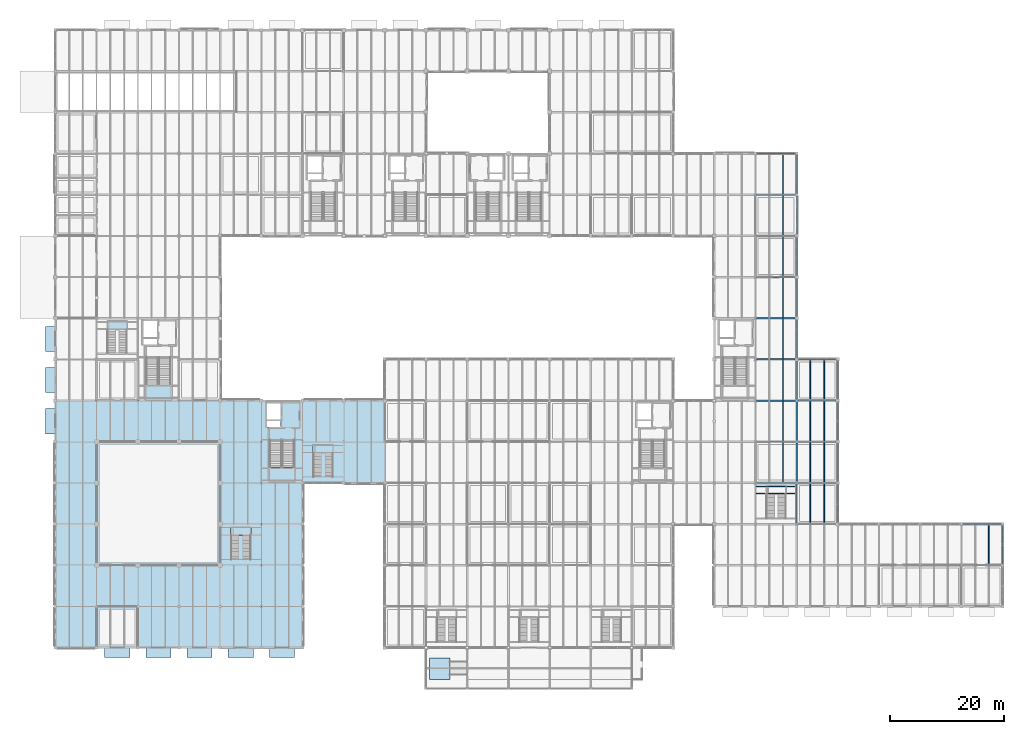
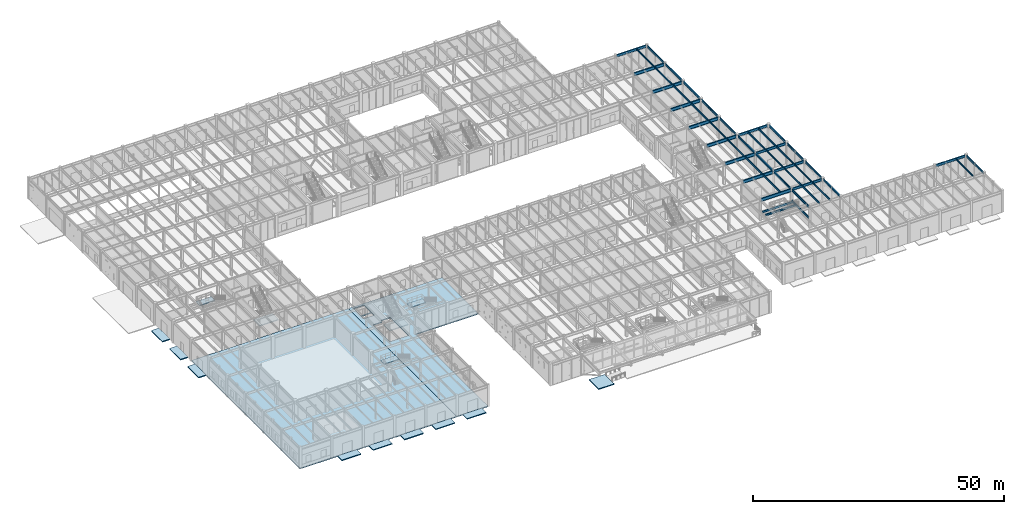
# One storey, part 29 of 97: 48 beams, 16 slabs, 5 elements without a shape of their own.
"""IFC4 building model written with IfcOpenShell, lengths in metres."""

from ifc_helpers import new_model, si_unit, direction, frame, origin, origin_2d, place, context, subcontext, project, spatial, polyline, i_section, outline, extrude, material, layer, layer_set, material_profile, profile_set, type_object, element, aggregate, save


model = new_model("IFC4")

# Units and contexts
model_context = context("Model", 3, precision=1e-05, world=origin(), true_north=direction((0.0, 1.0)))
body_context = subcontext(model_context, "Body", "Model", "MODEL_VIEW")
ifc_project = project(units=[si_unit("LENGTHUNIT", "METRE"), si_unit("AREAUNIT", "SQUARE_METRE"), si_unit("VOLUMEUNIT", "CUBIC_METRE"), si_unit("PLANEANGLEUNIT", "RADIAN"), si_unit("MASSUNIT", "GRAM", prefix="KILO")], contexts=[model_context])

# Site, building, storey
site_placement = place(None, origin())
site = spatial("IfcSite", under=ifc_project, at=site_placement, CompositionType="ELEMENT")
building_placement = place(site_placement, origin())
building = spatial("IfcBuilding", under=site, at=building_placement, Name="Sillqori Civic Hall", CompositionType="ELEMENT")
storey_placement = place(building_placement, origin())
storey = spatial("IfcBuildingStorey", under=building, at=storey_placement, Name="L01", CompositionType="ELEMENT", Elevation=0.0)

# Beams
ifc_material_1 = material(Name="Steel ASTM A992", Category="steel")
ifc_material_profile_1 = material_profile(ifc_material_1, i_section(OverallWidth=0.19091796875, OverallDepth=0.4599609375, WebThickness=0.010009765625, FlangeThickness=0.01611328125, FilletRadius=0.012939453125, at=origin_2d()), Name="W18X55")
ifc_profile_set_1 = profile_set([ifc_material_profile_1], Name="Steel ASTM A992")
beam_type_1 = type_object("IfcBeamType", Name="BM-W18X55", PredefinedType="BEAM", material=ifc_profile_set_1)
beam_1_placement = place(storey_placement, frame((136.800048828125, 28.97802734375, 2.27490234375), z_axis=(0.0, 1.0, 0.0), x_axis=(-1.0, 0.0, 0.0)))
element("IfcBeam", 1, at=beam_1_placement, inside=storey, type_object=beam_type_1, Name="Members Library Reading Stair L01-L02 landing stringer girder E", PredefinedType="BEAM", context=body_context, shape_type="SweptSolid", body=[
    extrude(i_section(OverallWidth=0.19091796875, OverallDepth=0.4599609375, WebThickness=0.010009765625, FlangeThickness=0.01611328125, FilletRadius=0.012939453125, at=origin_2d()), origin(), (0.0, 0.0, 1.0), 6.840087890625),
])
for number, where, z_axis, x_axis, name in (
    (2, (129.639892578125, 34.14990234375, 2.27490234375), (1.0, 0.0, 0.0), (0.0, 1.0, 0.0), "Members Library Reading Stair L01-L02 half-landing cross trimmer 1"),
    (3, (129.639892578125, 35.3798828125, 2.27490234375), (1.0, 0.0, 0.0), (0.0, 1.0, 0.0), "Members Library Reading Stair L01-L02 half-landing cross trimmer 2"),
):
    element("IfcBeam", number, at=place(storey_placement, frame(where, z_axis=z_axis, x_axis=x_axis)), inside=storey, type_object=beam_type_1, Name=name, PredefinedType="BEAM", context=body_context, shape_type="SweptSolid", body=[
        extrude(i_section(OverallWidth=0.19091796875, OverallDepth=0.4599609375, WebThickness=0.010009765625, FlangeThickness=0.01611328125, FilletRadius=0.012939453125, at=origin_2d()), origin(), (0.0, 0.0, 1.0), 7.1201171875),
    ])
ifc_material_profile_2 = material_profile(ifc_material_1, i_section(OverallWidth=0.2099609375, OverallDepth=0.532958984375, WebThickness=0.01025390625, FlangeThickness=0.015625, FilletRadius=0.013916015625, at=origin_2d()), Name="W21X62")
ifc_profile_set_2 = profile_set([ifc_material_profile_2], Name="Steel ASTM A992")
beam_type_2 = type_object("IfcBeamType", Name="BM-W21X62", PredefinedType="BEAM", material=ifc_profile_set_2)
beam_2_placement = place(storey_placement, frame((136.800048828125, 28.97802734375, 4.93359375), z_axis=(0.0, 1.0, 0.0), x_axis=(-1.0, 0.0, 0.0)))
element("IfcBeam", 4, at=beam_2_placement, inside=storey, type_object=beam_type_2, Name="L01 girder Y 19-4", PredefinedType="BEAM", context=body_context, shape_type="SweptSolid", body=[
    extrude(i_section(OverallWidth=0.2099609375, OverallDepth=0.532958984375, WebThickness=0.01025390625, FlangeThickness=0.015625, FilletRadius=0.013916015625, at=origin_2d()), origin(), (0.0, 0.0, 1.0), 6.840087890625),
])
beam_3_placement = place(storey_placement, frame((136.800048828125, 36.181884765625, 4.93359375), z_axis=(0.0, 1.0, 0.0), x_axis=(-1.0, 0.0, 0.0)))
element("IfcBeam", 5, at=beam_3_placement, inside=storey, type_object=beam_type_2, Name="L01 girder Y 19-5", PredefinedType="BEAM", context=body_context, shape_type="SweptSolid", body=[
    extrude(i_section(OverallWidth=0.2099609375, OverallDepth=0.532958984375, WebThickness=0.01025390625, FlangeThickness=0.015625, FilletRadius=0.013916015625, at=origin_2d()), origin(), (0.0, 0.0, 1.0), 6.836181640625),
])
beam_4_placement = place(storey_placement, frame((136.800048828125, 43.382080078125, 4.93359375), z_axis=(0.0, 1.0, 0.0), x_axis=(-1.0, 0.0, 0.0)))
element("IfcBeam", 6, at=beam_4_placement, inside=storey, type_object=beam_type_2, Name="L01 girder Y 19-6", PredefinedType="BEAM", context=body_context, shape_type="SweptSolid", body=[
    extrude(i_section(OverallWidth=0.2099609375, OverallDepth=0.532958984375, WebThickness=0.01025390625, FlangeThickness=0.015625, FilletRadius=0.013916015625, at=origin_2d()), origin(), (0.0, 0.0, 1.0), 6.8359375),
])
beam_5_placement = place(storey_placement, frame((136.800048828125, 50.58203125, 4.93359375), z_axis=(0.0, 1.0, 0.0), x_axis=(-1.0, 0.0, 0.0)))
element("IfcBeam", 7, at=beam_5_placement, inside=storey, type_object=beam_type_2, Name="L01 girder Y 19-7", PredefinedType="BEAM", context=body_context, shape_type="SweptSolid", body=[
    extrude(i_section(OverallWidth=0.2099609375, OverallDepth=0.532958984375, WebThickness=0.01025390625, FlangeThickness=0.015625, FilletRadius=0.013916015625, at=origin_2d()), origin(), (0.0, 0.0, 1.0), 6.723876953125),
])
for number, where, z_axis, x_axis, name in (
    (8, (136.800048828125, 57.89404296875, 4.93359375), (0.0, 1.0, 0.0), (-1.0, 0.0, 0.0), "L01 girder Y 19-8"),
    (9, (136.800048828125, 65.093994140625, 4.93359375), (0.0, 1.0, 0.0), (-1.0, 0.0, 0.0), "L01 girder Y 19-9"),
    (10, (136.800048828125, 72.2939453125, 4.93359375), (0.0, 1.0, 0.0), (-1.0, 0.0, 0.0), "L01 girder Y 19-10"),
):
    element("IfcBeam", number, at=place(storey_placement, frame(where, z_axis=z_axis, x_axis=x_axis)), inside=storey, type_object=beam_type_2, Name=name, PredefinedType="BEAM", context=body_context, shape_type="SweptSolid", body=[
        extrude(i_section(OverallWidth=0.2099609375, OverallDepth=0.532958984375, WebThickness=0.01025390625, FlangeThickness=0.015625, FilletRadius=0.013916015625, at=origin_2d()), origin(), (0.0, 0.0, 1.0), 6.612060546875),
    ])
beam_6_placement = place(storey_placement, frame((136.800048828125, 79.493896484375, 4.93359375), z_axis=(0.0, 1.0, 0.0), x_axis=(-1.0, 0.0, 0.0)))
element("IfcBeam", 11, at=beam_6_placement, inside=storey, type_object=beam_type_2, Name="L01 girder Y 19-11", PredefinedType="BEAM", context=body_context, shape_type="SweptSolid", body=[
    extrude(i_section(OverallWidth=0.2099609375, OverallDepth=0.532958984375, WebThickness=0.01025390625, FlangeThickness=0.015625, FilletRadius=0.013916015625, at=origin_2d()), origin(), (0.0, 0.0, 1.0), 6.662109375),
])
beam_7_placement = place(storey_placement, frame((136.800048828125, 86.64404296875, 4.93359375), z_axis=(0.0, 1.0, 0.0), x_axis=(-1.0, 0.0, 0.0)))
element("IfcBeam", 12, at=beam_7_placement, inside=storey, type_object=beam_type_2, Name="L01 girder Y 19-12", PredefinedType="BEAM", context=body_context, shape_type="SweptSolid", body=[
    extrude(i_section(OverallWidth=0.2099609375, OverallDepth=0.532958984375, WebThickness=0.01025390625, FlangeThickness=0.015625, FilletRadius=0.013916015625, at=origin_2d()), origin(), (0.0, 0.0, 1.0), 6.7119140625),
])
for number, where, z_axis, x_axis, name in (
    (13, (144.0, 29.093994140625, 4.93359375), (0.0, 1.0, 0.0), (-1.0, 0.0, 0.0), "L01 girder Y 20-4"),
    (14, (144.0, 36.2939453125, 4.93359375), (0.0, 1.0, 0.0), (-1.0, 0.0, 0.0), "L01 girder Y 20-5"),
    (15, (144.0, 43.493896484375, 4.93359375), (0.0, 1.0, 0.0), (-1.0, 0.0, 0.0), "L01 girder Y 20-6"),
):
    element("IfcBeam", number, at=place(storey_placement, frame(where, z_axis=z_axis, x_axis=x_axis)), inside=storey, type_object=beam_type_2, Name=name, PredefinedType="BEAM", context=body_context, shape_type="SweptSolid", body=[
        extrude(i_section(OverallWidth=0.2099609375, OverallDepth=0.532958984375, WebThickness=0.01025390625, FlangeThickness=0.015625, FilletRadius=0.013916015625, at=origin_2d()), origin(), (0.0, 0.0, 1.0), 6.612060546875),
    ])
beam_8_placement = place(storey_placement, frame((144.0, 50.694091796875, 4.93359375), z_axis=(0.0, 1.0, 0.0), x_axis=(-1.0, 0.0, 0.0)))
element("IfcBeam", 16, at=beam_8_placement, inside=storey, type_object=beam_type_2, Name="L01 girder Y 20-7", PredefinedType="BEAM", context=body_context, shape_type="SweptSolid", body=[
    extrude(i_section(OverallWidth=0.2099609375, OverallDepth=0.532958984375, WebThickness=0.01025390625, FlangeThickness=0.015625, FilletRadius=0.013916015625, at=origin_2d()), origin(), (0.0, 0.0, 1.0), 6.61181640625),
])
beam_9_placement = place(storey_placement, frame((172.800048828125, 21.843994140625, 4.93359375), z_axis=(0.0, 1.0, 0.0), x_axis=(-1.0, 0.0, 0.0)))
element("IfcBeam", 17, at=beam_9_placement, inside=storey, type_object=beam_type_2, Name="L01 girder Y 24-3", PredefinedType="BEAM", context=body_context, shape_type="SweptSolid", body=[
    extrude(i_section(OverallWidth=0.2099609375, OverallDepth=0.532958984375, WebThickness=0.01025390625, FlangeThickness=0.015625, FilletRadius=0.013916015625, at=origin_2d()), origin(), (0.0, 0.0, 1.0), 6.7119140625),
])
ifc_material_profile_3 = material_profile(ifc_material_1, i_section(OverallWidth=0.22802734375, OverallDepth=0.60205078125, WebThickness=0.010498046875, FlangeThickness=0.014892578125, FilletRadius=0.014892578125, at=origin_2d()), Name="W24X68")
ifc_profile_set_3 = profile_set([ifc_material_profile_3], Name="Steel ASTM A992")
beam_type_3 = type_object("IfcBeamType", Name="BM-W24X68", PredefinedType="BEAM", material=ifc_profile_set_3)
beam_10_placement = place(storey_placement, frame((129.843994140625, 93.60009765625, 4.89892578125), z_axis=(1.0, 0.0, 0.0), x_axis=(0.0, 1.0, 0.0)))
element("IfcBeam", 18, at=beam_10_placement, inside=storey, type_object=beam_type_3, Name="L01 girder X 18-13", PredefinedType="BEAM", context=body_context, shape_type="SweptSolid", body=[
    extrude(i_section(OverallWidth=0.22802734375, OverallDepth=0.60205078125, WebThickness=0.010498046875, FlangeThickness=0.014892578125, FilletRadius=0.014892578125, at=origin_2d()), origin(), (0.0, 0.0, 1.0), 6.7119140625),
])
for number, where, z_axis, x_axis, name in (
    (19, (136.990966796875, 36.0, 4.89892578125), (1.0, 0.0, 0.0), (0.0, 1.0, 0.0), "L01 girder X 19-5"),
    (20, (136.990966796875, 43.199951171875, 4.89892578125), (1.0, 0.0, 0.0), (0.0, 1.0, 0.0), "L01 girder X 19-6"),
    (21, (136.990966796875, 50.39990234375, 4.89892578125), (1.0, 0.0, 0.0), (0.0, 1.0, 0.0), "L01 girder X 19-7"),
):
    element("IfcBeam", number, at=place(storey_placement, frame(where, z_axis=z_axis, x_axis=x_axis)), inside=storey, type_object=beam_type_3, Name=name, PredefinedType="BEAM", context=body_context, shape_type="SweptSolid", body=[
        extrude(i_section(OverallWidth=0.22802734375, OverallDepth=0.60205078125, WebThickness=0.010498046875, FlangeThickness=0.014892578125, FilletRadius=0.014892578125, at=origin_2d()), origin(), (0.0, 0.0, 1.0), 6.715087890625),
    ])
beam_11_placement = place(storey_placement, frame((137.093994140625, 57.60009765625, 4.89892578125), z_axis=(1.0, 0.0, 0.0), x_axis=(0.0, 1.0, 0.0)))
element("IfcBeam", 22, at=beam_11_placement, inside=storey, type_object=beam_type_3, Name="L01 girder X 19-8", PredefinedType="BEAM", context=body_context, shape_type="SweptSolid", body=[
    extrude(i_section(OverallWidth=0.22802734375, OverallDepth=0.60205078125, WebThickness=0.010498046875, FlangeThickness=0.014892578125, FilletRadius=0.014892578125, at=origin_2d()), origin(), (0.0, 0.0, 1.0), 6.612060546875),
])
beam_12_placement = place(storey_placement, frame((165.843994140625, 28.800048828125, 4.89892578125), z_axis=(1.0, 0.0, 0.0), x_axis=(0.0, 1.0, 0.0)))
element("IfcBeam", 23, at=beam_12_placement, inside=storey, type_object=beam_type_3, Name="L01 girder X 23-4", PredefinedType="BEAM", context=body_context, shape_type="SweptSolid", body=[
    extrude(i_section(OverallWidth=0.22802734375, OverallDepth=0.60205078125, WebThickness=0.010498046875, FlangeThickness=0.014892578125, FilletRadius=0.014892578125, at=origin_2d()), origin(), (0.0, 0.0, 1.0), 6.7119140625),
])
ifc_material_profile_4 = material_profile(ifc_material_1, i_section(OverallWidth=0.26708984375, OverallDepth=0.761962890625, WebThickness=0.014404296875, FlangeThickness=0.021484375, FilletRadius=0.01708984375, at=origin_2d()), Name="W30X116")
ifc_profile_set_4 = profile_set([ifc_material_profile_4], Name="Steel ASTM A992")
beam_type_4 = type_object("IfcBeamType", Name="BM-W30X116", PredefinedType="BEAM", material=ifc_profile_set_4)
for number, where, z_axis, x_axis, name in (
    (24, (129.791015625, 36.0, 4.819091796875), (1.0, 0.0, 0.0), (0.0, 1.0, 0.0), "L01 girder X 18-5"),
    (25, (129.791015625, 43.199951171875, 4.819091796875), (1.0, 0.0, 0.0), (0.0, 1.0, 0.0), "L01 girder X 18-6"),
    (26, (129.791015625, 50.39990234375, 4.819091796875), (1.0, 0.0, 0.0), (0.0, 1.0, 0.0), "L01 girder X 18-7"),
):
    element("IfcBeam", number, at=place(storey_placement, frame(where, z_axis=z_axis, x_axis=x_axis)), inside=storey, type_object=beam_type_4, Name=name, PredefinedType="BEAM", context=body_context, shape_type="SweptSolid", body=[
        extrude(i_section(OverallWidth=0.26708984375, OverallDepth=0.761962890625, WebThickness=0.014404296875, FlangeThickness=0.021484375, FilletRadius=0.01708984375, at=origin_2d()), origin(), (0.0, 0.0, 1.0), 6.81787109375),
    ])
for number, where, z_axis, x_axis, name in (
    (27, (129.791015625, 57.60009765625, 4.819091796875), (1.0, 0.0, 0.0), (0.0, 1.0, 0.0), "L01 girder X 18-8"),
    (28, (129.791015625, 64.800048828125, 4.819091796875), (1.0, 0.0, 0.0), (0.0, 1.0, 0.0), "L01 girder X 18-9"),
    (29, (129.791015625, 72.0, 4.819091796875), (1.0, 0.0, 0.0), (0.0, 1.0, 0.0), "L01 girder X 18-10"),
    (30, (129.791015625, 79.199951171875, 4.819091796875), (1.0, 0.0, 0.0), (0.0, 1.0, 0.0), "L01 girder X 18-11"),
):
    element("IfcBeam", number, at=place(storey_placement, frame(where, z_axis=z_axis, x_axis=x_axis)), inside=storey, type_object=beam_type_4, Name=name, PredefinedType="BEAM", context=body_context, shape_type="SweptSolid", body=[
        extrude(i_section(OverallWidth=0.26708984375, OverallDepth=0.761962890625, WebThickness=0.014404296875, FlangeThickness=0.021484375, FilletRadius=0.01708984375, at=origin_2d()), origin(), (0.0, 0.0, 1.0), 6.715087890625),
    ])
beam_13_placement = place(storey_placement, frame((129.722412109375, 86.39990234375, 4.819091796875), z_axis=(1.0, 0.0, 0.0), x_axis=(0.0, 1.0, 0.0)))
element("IfcBeam", 31, at=beam_13_placement, inside=storey, type_object=beam_type_4, Name="L01 girder X 18-12", PredefinedType="BEAM", context=body_context, shape_type="SweptSolid", body=[
    extrude(i_section(OverallWidth=0.26708984375, OverallDepth=0.761962890625, WebThickness=0.014404296875, FlangeThickness=0.021484375, FilletRadius=0.01708984375, at=origin_2d()), origin(), (0.0, 0.0, 1.0), 6.83349609375),
])
ifc_material_profile_5 = material_profile(ifc_material_1, i_section(OverallWidth=0.153076171875, OverallDepth=0.455078125, WebThickness=0.008056640625, FlangeThickness=0.01318359375, FilletRadius=0.012939453125, at=origin_2d()), Name="W18X40")
ifc_profile_set_5 = profile_set([ifc_material_profile_5], Name="Steel ASTM A992")
beam_type_5 = type_object("IfcBeamType", Name="JS-W18X40", PredefinedType="JOIST", material=ifc_profile_set_5)
for number, where, z_axis, x_axis, name in (
    (32, (134.39990234375, 36.094970703125, 4.972412109375), (0.0, 1.0, 0.0), (-1.0, 0.0, 0.0), "L01 composite joist 18-5.2"),
    (33, (134.39990234375, 43.294921875, 4.972412109375), (0.0, 1.0, 0.0), (-1.0, 0.0, 0.0), "L01 composite joist 18-6.2"),
):
    element("IfcBeam", number, at=place(storey_placement, frame(where, z_axis=z_axis, x_axis=x_axis)), inside=storey, type_object=beam_type_5, Name=name, PredefinedType="JOIST", context=body_context, shape_type="SweptSolid", body=[
        extrude(i_section(OverallWidth=0.153076171875, OverallDepth=0.455078125, WebThickness=0.008056640625, FlangeThickness=0.01318359375, FilletRadius=0.012939453125, at=origin_2d()), origin(), (0.0, 0.0, 1.0), 7.010009765625),
    ])
beam_14_placement = place(storey_placement, frame((134.39990234375, 50.4951171875, 4.972412109375), z_axis=(0.0, 1.0, 0.0), x_axis=(-1.0, 0.0, 0.0)))
element("IfcBeam", 34, at=beam_14_placement, inside=storey, type_object=beam_type_5, Name="L01 composite joist 18-7.2", PredefinedType="JOIST", context=body_context, shape_type="SweptSolid", body=[
    extrude(i_section(OverallWidth=0.153076171875, OverallDepth=0.455078125, WebThickness=0.008056640625, FlangeThickness=0.01318359375, FilletRadius=0.012939453125, at=origin_2d()), origin(), (0.0, 0.0, 1.0), 7.009765625),
])
for number, where, z_axis, x_axis, name in (
    (35, (134.39990234375, 57.695068359375, 4.972412109375), (0.0, 1.0, 0.0), (-1.0, 0.0, 0.0), "L01 composite joist 18-8.2"),
    (36, (134.39990234375, 64.89501953125, 4.972412109375), (0.0, 1.0, 0.0), (-1.0, 0.0, 0.0), "L01 composite joist 18-9.2"),
    (37, (134.39990234375, 72.094970703125, 4.972412109375), (0.0, 1.0, 0.0), (-1.0, 0.0, 0.0), "L01 composite joist 18-10.2"),
    (38, (134.39990234375, 79.294921875, 4.972412109375), (0.0, 1.0, 0.0), (-1.0, 0.0, 0.0), "L01 composite joist 18-11.2"),
):
    element("IfcBeam", number, at=place(storey_placement, frame(where, z_axis=z_axis, x_axis=x_axis)), inside=storey, type_object=beam_type_5, Name=name, PredefinedType="JOIST", context=body_context, shape_type="SweptSolid", body=[
        extrude(i_section(OverallWidth=0.153076171875, OverallDepth=0.455078125, WebThickness=0.008056640625, FlangeThickness=0.01318359375, FilletRadius=0.012939453125, at=origin_2d()), origin(), (0.0, 0.0, 1.0), 7.010009765625),
    ])
beam_15_placement = place(storey_placement, frame((134.39990234375, 86.4951171875, 4.972412109375), z_axis=(0.0, 1.0, 0.0), x_axis=(-1.0, 0.0, 0.0)))
element("IfcBeam", 39, at=beam_15_placement, inside=storey, type_object=beam_type_5, Name="L01 composite joist 18-12.2", PredefinedType="JOIST", context=body_context, shape_type="SweptSolid", body=[
    extrude(i_section(OverallWidth=0.153076171875, OverallDepth=0.455078125, WebThickness=0.008056640625, FlangeThickness=0.01318359375, FilletRadius=0.012939453125, at=origin_2d()), origin(), (0.0, 0.0, 1.0), 7.009765625),
])
for number, where, z_axis, x_axis, name in (
    (40, (139.199951171875, 28.89501953125, 4.972412109375), (0.0, 1.0, 0.0), (-1.0, 0.0, 0.0), "L01 composite joist 19-4.1"),
    (41, (141.60009765625, 28.89501953125, 4.972412109375), (0.0, 1.0, 0.0), (-1.0, 0.0, 0.0), "L01 composite joist 19-4.2"),
    (42, (139.199951171875, 36.094970703125, 4.972412109375), (0.0, 1.0, 0.0), (-1.0, 0.0, 0.0), "L01 composite joist 19-5.1"),
    (43, (141.60009765625, 36.094970703125, 4.972412109375), (0.0, 1.0, 0.0), (-1.0, 0.0, 0.0), "L01 composite joist 19-5.2"),
    (44, (139.199951171875, 43.294921875, 4.972412109375), (0.0, 1.0, 0.0), (-1.0, 0.0, 0.0), "L01 composite joist 19-6.1"),
    (45, (141.60009765625, 43.294921875, 4.972412109375), (0.0, 1.0, 0.0), (-1.0, 0.0, 0.0), "L01 composite joist 19-6.2"),
):
    element("IfcBeam", number, at=place(storey_placement, frame(where, z_axis=z_axis, x_axis=x_axis)), inside=storey, type_object=beam_type_5, Name=name, PredefinedType="JOIST", context=body_context, shape_type="SweptSolid", body=[
        extrude(i_section(OverallWidth=0.153076171875, OverallDepth=0.455078125, WebThickness=0.008056640625, FlangeThickness=0.01318359375, FilletRadius=0.012939453125, at=origin_2d()), origin(), (0.0, 0.0, 1.0), 7.010009765625),
    ])
for number, where, z_axis, x_axis, name in (
    (46, (139.199951171875, 50.4951171875, 4.972412109375), (0.0, 1.0, 0.0), (-1.0, 0.0, 0.0), "L01 composite joist 19-7.1"),
    (47, (141.60009765625, 50.4951171875, 4.972412109375), (0.0, 1.0, 0.0), (-1.0, 0.0, 0.0), "L01 composite joist 19-7.2"),
):
    element("IfcBeam", number, at=place(storey_placement, frame(where, z_axis=z_axis, x_axis=x_axis)), inside=storey, type_object=beam_type_5, Name=name, PredefinedType="JOIST", context=body_context, shape_type="SweptSolid", body=[
        extrude(i_section(OverallWidth=0.153076171875, OverallDepth=0.455078125, WebThickness=0.008056640625, FlangeThickness=0.01318359375, FilletRadius=0.012939453125, at=origin_2d()), origin(), (0.0, 0.0, 1.0), 7.009765625),
    ])
beam_16_placement = place(storey_placement, frame((170.39990234375, 21.695068359375, 4.972412109375), z_axis=(0.0, 1.0, 0.0), x_axis=(-1.0, 0.0, 0.0)))
element("IfcBeam", 48, at=beam_16_placement, inside=storey, type_object=beam_type_5, Name="L01 composite joist 23-3.2", PredefinedType="JOIST", context=body_context, shape_type="SweptSolid", body=[
    extrude(i_section(OverallWidth=0.153076171875, OverallDepth=0.455078125, WebThickness=0.008056640625, FlangeThickness=0.01318359375, FilletRadius=0.012939453125, at=origin_2d()), origin(), (0.0, 0.0, 1.0), 7.010009765625),
])

# Slabs
ifc_material_2 = material(Name="Concrete C35/45 (H35)", Category="concrete")
ifc_layer_1 = layer(ifc_material_2, 0.219970703125)
ifc_layer_set_1 = layer_set([ifc_layer_1], Name="Concrete C35/45 (H35)")
slab_type_1 = type_object("IfcSlabType", Name="SLB-BASE-220", PredefinedType="BASESLAB", material=ifc_layer_set_1)
slab_1_placement = place(storey_placement, frame((0.0, 0.0, -0.4599609375)))
element("IfcSlab", 49, at=slab_1_placement, inside=storey, type_object=slab_type_1, Name="Forecourt ramp base & lower landing", PredefinedType="BASESLAB", context=body_context, shape_type="SweptSolid", body=[
    extrude(outline(polyline([(76.199951171875, 1.60009765625), (76.199951171875, 5.39990234375), (72.60009765625, 5.39990234375), (72.60009765625, 1.60009765625), (76.199951171875, 1.60009765625)])), origin(), (0.0, 0.0, 1.0), 0.219970703125),
])
slab_2_placement = place(storey_placement, frame((0.0, 0.0, -0.219970703125)))
element("IfcSlab", 50, at=slab_2_placement, inside=storey, type_object=slab_type_1, Name="Council West Avenue Exit entrance landing pad", PredefinedType="BASESLAB", context=body_context, shape_type="SweptSolid", body=[
    extrude(outline(polyline([(5.449951171875, 44.60009765625), (7.199951171875, 44.60009765625), (7.199951171875, 49.0), (5.449951171875, 49.0), (5.449951171875, 44.60009765625)])), origin(), (0.0, 0.0, 1.0), 0.219970703125),
])
slab_3_placement = place(storey_placement, frame((0.0, 0.0, -0.219970703125)))
element("IfcSlab", 51, at=slab_3_placement, inside=storey, type_object=slab_type_1, Name="West Directorate Service Exit entrance landing pad", PredefinedType="BASESLAB", context=body_context, shape_type="SweptSolid", body=[
    extrude(outline(polyline([(5.449951171875, 51.800048828125), (7.199951171875, 51.800048828125), (7.199951171875, 56.199951171875), (5.449951171875, 56.199951171875), (5.449951171875, 51.800048828125)])), origin(), (0.0, 0.0, 1.0), 0.219970703125),
])
slab_4_placement = place(storey_placement, frame((0.0, 0.0, -0.219970703125)))
element("IfcSlab", 52, at=slab_4_placement, inside=storey, type_object=slab_type_1, Name="Committee Wing West Street Portal entrance landing pad", PredefinedType="BASESLAB", context=body_context, shape_type="SweptSolid", body=[
    extrude(outline(polyline([(5.449951171875, 59.0), (7.199951171875, 59.0), (7.199951171875, 63.39990234375), (5.449951171875, 63.39990234375), (5.449951171875, 59.0)])), origin(), (0.0, 0.0, 1.0), 0.219970703125),
])
slab_5_placement = place(storey_placement, frame((0.0, 0.0, -0.219970703125)))
element("IfcSlab", 53, at=slab_5_placement, inside=storey, type_object=slab_type_1, Name="Council Chamber West Street Portal entrance landing pad", PredefinedType="BASESLAB", context=body_context, shape_type="SweptSolid", body=[
    extrude(outline(polyline([(15.800048828125, 5.449951171875), (20.199951171875, 5.449951171875), (20.199951171875, 7.199951171875), (15.800048828125, 7.199951171875), (15.800048828125, 5.449951171875)])), origin(), (0.0, 0.0, 1.0), 0.219970703125),
])
slab_6_placement = place(storey_placement, frame((0.0, 0.0, -0.219970703125)))
element("IfcSlab", 54, at=slab_6_placement, inside=storey, type_object=slab_type_1, Name="Council Chamber Ceremonial Entrance entrance landing pad", PredefinedType="BASESLAB", context=body_context, shape_type="SweptSolid", body=[
    extrude(outline(polyline([(23.0, 5.449951171875), (27.39990234375, 5.449951171875), (27.39990234375, 7.199951171875), (23.0, 7.199951171875), (23.0, 5.449951171875)])), origin(), (0.0, 0.0, 1.0), 0.219970703125),
])
slab_7_placement = place(storey_placement, frame((0.0, 0.0, -0.219970703125)))
element("IfcSlab", 55, at=slab_7_placement, inside=storey, type_object=slab_type_1, Name="Council Chamber East Street Portal entrance landing pad", PredefinedType="BASESLAB", context=body_context, shape_type="SweptSolid", body=[
    extrude(outline(polyline([(30.199951171875, 5.449951171875), (34.60009765625, 5.449951171875), (34.60009765625, 7.199951171875), (30.199951171875, 7.199951171875), (30.199951171875, 5.449951171875)])), origin(), (0.0, 0.0, 1.0), 0.219970703125),
])
slab_8_placement = place(storey_placement, frame((0.0, 0.0, -0.219970703125)))
element("IfcSlab", 56, at=slab_8_placement, inside=storey, type_object=slab_type_1, Name="Council Foyer South Exit entrance landing pad", PredefinedType="BASESLAB", context=body_context, shape_type="SweptSolid", body=[
    extrude(outline(polyline([(37.39990234375, 5.449951171875), (41.800048828125, 5.449951171875), (41.800048828125, 7.199951171875), (37.39990234375, 7.199951171875), (37.39990234375, 5.449951171875)])), origin(), (0.0, 0.0, 1.0), 0.219970703125),
])
slab_9_placement = place(storey_placement, frame((0.0, 0.0, -0.219970703125)))
element("IfcSlab", 57, at=slab_9_placement, inside=storey, type_object=slab_type_1, Name="Council Foyer Promenade Portal entrance landing pad", PredefinedType="BASESLAB", context=body_context, shape_type="SweptSolid", body=[
    extrude(outline(polyline([(44.60009765625, 5.449951171875), (49.0, 5.449951171875), (49.0, 7.199951171875), (44.60009765625, 7.199951171875), (44.60009765625, 5.449951171875)])), origin(), (0.0, 0.0, 1.0), 0.219970703125),
])
ifc_material_3 = material(Name="Concrete C30/37 (H30)", Category="concrete")
ifc_layer_2 = layer(ifc_material_3, 0.219970703125)
ifc_layer_set_2 = layer_set([ifc_layer_2], Name="Concrete C30/37 (H30)")
slab_type_2 = type_object("IfcSlabType", Name="SLB-FLR-220", PredefinedType="FLOOR", material=ifc_layer_set_2)
slab_10_placement = place(storey_placement, frame((0.0, 0.0, -0.219970703125)))
element("IfcSlab", 58, at=slab_10_placement, inside=storey, type_object=slab_type_2, Name="L01 V1 composite floor slab 0.1", PredefinedType="FLOOR", context=body_context, shape_type="SweptSolid", body=[
    extrude(outline(polyline([(7.199951171875, 36.0), (7.199951171875, 43.199951171875), (7.199951171875, 50.39990234375), (14.39990234375, 50.39990234375), (21.60009765625, 50.39990234375), (28.800048828125, 50.39990234375), (36.0, 50.39990234375), (43.199951171875, 50.39990234375), (43.199951171875, 43.199951171875), (43.199951171875, 36.0), (43.199951171875, 28.800048828125), (43.199951171875, 21.60009765625), (43.199951171875, 14.39990234375), (43.199951171875, 7.199951171875), (36.0, 7.199951171875), (28.800048828125, 7.199951171875), (21.60009765625, 7.199951171875), (14.39990234375, 7.199951171875), (7.199951171875, 7.199951171875), (7.199951171875, 14.39990234375), (7.199951171875, 21.60009765625), (7.199951171875, 28.800048828125), (7.199951171875, 36.0)])), origin(), (0.0, 0.0, 1.0), 0.219970703125),
])
slab_11_placement = place(storey_placement, frame((0.0, 0.0, -0.219970703125)))
element("IfcSlab", 59, at=slab_11_placement, inside=storey, type_object=slab_type_2, Name="L01 V1 composite floor slab 1.1", PredefinedType="FLOOR", context=body_context, shape_type="SweptSolid", body=[
    extrude(outline(polyline([(43.199951171875, 21.60009765625), (43.199951171875, 28.800048828125), (43.199951171875, 36.0), (43.199951171875, 43.199951171875), (43.199951171875, 50.39990234375), (50.39990234375, 50.39990234375), (57.60009765625, 50.39990234375), (64.800048828125, 50.39990234375), (64.800048828125, 43.199951171875), (64.800048828125, 36.0), (57.60009765625, 36.0), (50.39990234375, 36.0), (50.39990234375, 28.800048828125), (50.39990234375, 21.60009765625), (50.39990234375, 14.39990234375), (50.39990234375, 7.199951171875), (43.199951171875, 7.199951171875), (43.199951171875, 14.39990234375), (43.199951171875, 21.60009765625)]), holes=[polyline([(44.659912109375, 43.02001953125), (44.659912109375, 36.35009765625), (48.93994140625, 36.35009765625), (48.93994140625, 43.570068359375), (46.760009765625, 43.570068359375), (46.760009765625, 43.02001953125), (44.659912109375, 43.02001953125)]), polyline([(46.550048828125, 45.800048828125), (46.550048828125, 46.89990234375), (44.14990234375, 46.89990234375), (44.14990234375, 45.800048828125), (46.550048828125, 45.800048828125)]), polyline([(46.550048828125, 47.050048828125), (46.550048828125, 49.949951171875), (44.14990234375, 49.949951171875), (44.14990234375, 47.050048828125), (46.550048828125, 47.050048828125)])]), origin(), (0.0, 0.0, 1.0), 0.219970703125),
])

# Stair, slab
stair_type_1 = type_object("IfcStairType", Name="STR-CORE-01", PredefinedType="DOUBLE_RETURN_STAIR", material=ifc_material_2)
stair_1_placement = place(storey_placement, origin())
stair_1 = element("IfcStair", 60, at=stair_1_placement, inside=storey, type_object=stair_type_1, Name="L01 Core exit stair ST-01", PredefinedType="DOUBLE_RETURN_STAIR")
ifc_layer_3 = layer(ifc_material_2, 0.199951171875)
ifc_layer_set_3 = layer_set([ifc_layer_3], Name="Concrete C35/45 (H35)")
slab_type_3 = type_object("IfcSlabType", Name="SLB-LND-220", PredefinedType="LANDING", material=ifc_layer_set_3)
slab_12_placement = place(storey_placement, frame((0.0, 0.0, 2.5)))
slab_12 = element("IfcSlab", 61, at=slab_12_placement, type_object=slab_type_3, Name="ST-01 landing 1", PredefinedType="LANDING", context=body_context, shape_type="SweptSolid", body=[
    extrude(outline(polyline([(44.625, 38.77001953125), (44.625, 36.31494140625), (48.97509765625, 36.31494140625), (48.97509765625, 38.77001953125), (44.625, 38.77001953125)])), origin(), (0.0, 0.0, 1.0), 0.199951171875),
])
aggregate(stair_1, [slab_12])

stair_type_2 = type_object("IfcStairType", Name="STR-CORE-04", PredefinedType="DOUBLE_RETURN_STAIR", material=ifc_material_2)
stair_2_placement = place(storey_placement, origin())
stair_2 = element("IfcStair", 62, at=stair_2_placement, inside=storey, type_object=stair_type_2, Name="L01 Core exit stair ST-04", PredefinedType="DOUBLE_RETURN_STAIR")
slab_13_placement = place(storey_placement, frame((0.0, 0.0, 2.5)))
slab_13 = element("IfcSlab", 63, at=slab_13_placement, type_object=slab_type_3, Name="ST-04 landing 1", PredefinedType="LANDING", context=body_context, shape_type="SweptSolid", body=[
    extrude(outline(polyline([(23.02490234375, 53.169921875), (23.02490234375, 50.715087890625), (27.375, 50.715087890625), (27.375, 53.169921875), (23.02490234375, 53.169921875)])), origin(), (0.0, 0.0, 1.0), 0.199951171875),
])
aggregate(stair_2, [slab_13])

ifc_material_4 = material(Name="Steel ASTM A992 and Honed Limestone Treads", Category="masonry")
stair_type_3 = type_object("IfcStairType", Name="STR-MON-540", PredefinedType="STRAIGHT_RUN_STAIR", material=ifc_material_4)
stair_3_placement = place(storey_placement, origin())
stair_3 = element("IfcStair", 64, at=stair_3_placement, inside=storey, type_object=stair_type_3, Name="Council Foyer Ceremonial Stair L01-L02", PredefinedType="STRAIGHT_RUN_STAIR")
ifc_layer_4 = layer(ifc_material_2, 0.199951171875)
ifc_layer_set_4 = layer_set([ifc_layer_4], Name="Concrete C35/45 (H35)")
slab_type_4 = type_object("IfcSlabType", Name="SLB-MLND-200", PredefinedType="LANDING", material=ifc_layer_set_4)
slab_14_placement = place(storey_placement, frame((0.0, 0.0, 2.5)))
slab_14 = element("IfcSlab", 65, at=slab_14_placement, type_object=slab_type_4, Name="MS-09 landing 1", PredefinedType="LANDING", context=body_context, shape_type="SweptSolid", body=[
    extrude(outline(polyline([(37.840087890625, 26.800048828125), (41.360107421875, 26.800048828125), (41.360107421875, 28.330078125), (37.840087890625, 28.330078125), (37.840087890625, 26.800048828125)])), origin(), (0.0, 0.0, 1.0), 0.199951171875),
])
aggregate(stair_3, [slab_14])

stair_4_placement = place(storey_placement, origin())
stair_4 = element("IfcStair", 66, at=stair_4_placement, inside=storey, type_object=stair_type_3, Name="Council Link Concourse Stair L01-L02", PredefinedType="STRAIGHT_RUN_STAIR")
slab_15_placement = place(storey_placement, frame((0.0, 0.0, 2.5)))
slab_15 = element("IfcSlab", 67, at=slab_15_placement, type_object=slab_type_4, Name="MS-11 landing 1", PredefinedType="LANDING", context=body_context, shape_type="SweptSolid", body=[
    extrude(outline(polyline([(52.239990234375, 41.199951171875), (55.760009765625, 41.199951171875), (55.760009765625, 42.72998046875), (52.239990234375, 42.72998046875), (52.239990234375, 41.199951171875)])), origin(), (0.0, 0.0, 1.0), 0.199951171875),
])
aggregate(stair_4, [slab_15])

stair_5_placement = place(storey_placement, origin())
stair_5 = element("IfcStair", 68, at=stair_5_placement, inside=storey, type_object=stair_type_3, Name="West Committee Concourse Stair L01-L02", PredefinedType="STRAIGHT_RUN_STAIR")
slab_16_placement = place(storey_placement, frame((0.0, 0.0, 2.5)))
slab_16 = element("IfcSlab", 69, at=slab_16_placement, type_object=slab_type_4, Name="MS-13 landing 1", PredefinedType="LANDING", context=body_context, shape_type="SweptSolid", body=[
    extrude(outline(polyline([(16.239990234375, 62.800048828125), (19.760009765625, 62.800048828125), (19.760009765625, 64.330078125), (16.239990234375, 64.330078125), (16.239990234375, 62.800048828125)])), origin(), (0.0, 0.0, 1.0), 0.199951171875),
])
aggregate(stair_5, [slab_16])

save(model, "model.ifc")
